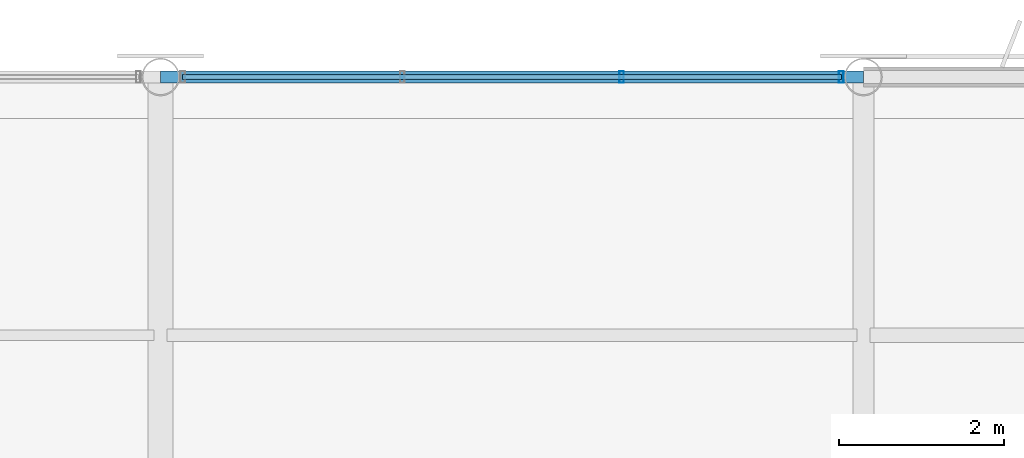
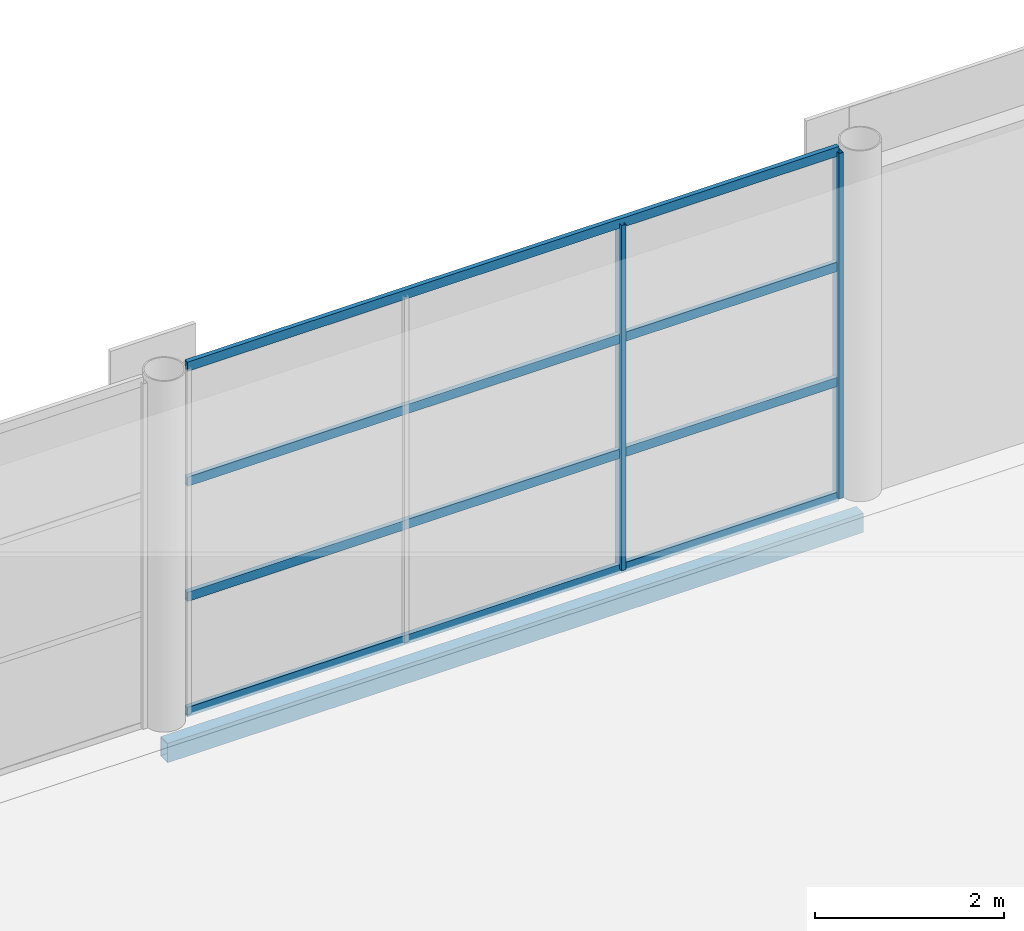
# One storey, part 43 of 101: 6 members, 1 beam, 1 element without a shape of its own.
"""IFC4 building model written with IfcOpenShell, lengths in metres."""

from ifc_helpers import new_model, si_unit, direction, frame, origin, origin_2d, place, context, subcontext, project, spatial, hollow_rectangle, extrude, material, material_profile, profile_set, type_object, element, aggregate, save


model = new_model("IFC4")

# Units and contexts
model_context = context("Model", 3, precision=1e-05, world=origin(), true_north=direction((0.0, 1.0)))
body_context = subcontext(model_context, "Body", "Model", "MODEL_VIEW")
ifc_project = project(units=[si_unit("LENGTHUNIT", "METRE"), si_unit("AREAUNIT", "SQUARE_METRE"), si_unit("VOLUMEUNIT", "CUBIC_METRE"), si_unit("PLANEANGLEUNIT", "RADIAN"), si_unit("MASSUNIT", "GRAM", prefix="KILO")], contexts=[model_context])

# Site, building, storey
site_placement = place(None, origin())
site = spatial("IfcSite", under=ifc_project, at=site_placement, CompositionType="ELEMENT")
building_placement = place(site_placement, origin())
building = spatial("IfcBuilding", under=site, at=building_placement, Name="Solvikara Media Centre", CompositionType="ELEMENT")
storey_placement = place(building_placement, frame((0.0, 0.0, 10.199951171875)))
storey = spatial("IfcBuildingStorey", under=building, at=storey_placement, Name="L02", CompositionType="ELEMENT", Elevation=10.199951171875)

# Beam
ifc_material_1 = material(Name="Steel S355JR", Category="steel")
ifc_material_profile_1 = material_profile(ifc_material_1, hollow_rectangle(XDim=0.14990234375, YDim=0.25, WallThickness=0.008056640625, at=origin_2d()), Name="RHS 250x150x8")
ifc_profile_set_1 = profile_set([ifc_material_profile_1], Name="Steel S355JR")
beam_type = type_object("IfcBeamType", Name="BM-36", PredefinedType="JOIST", material=ifc_profile_set_1)
beam_placement = place(storey_placement, frame((8.5, 114.0, -0.386962890625), z_axis=(1.0, 0.0, 0.0), x_axis=(0.0, 1.0, 0.0)))
element("IfcBeam", 1, at=beam_placement, inside=storey, type_object=beam_type, Name="B-L02-X0902", PredefinedType="JOIST", context=body_context, shape_type="SweptSolid", body=[
    extrude(hollow_rectangle(XDim=0.14990234375, YDim=0.25, WallThickness=0.008056640625, at=origin_2d()), origin(), (0.0, 0.0, 1.0), 8.5),
])

# Curtain wall, members
ifc_material_2 = material(Name="Anodised aluminium EN AW-6063", Category="aluminium")
curtain_wall_type = type_object("IfcCurtainWallType", Name="CW-08", PredefinedType="NOTDEFINED", material=ifc_material_2)
curtain_wall_placement = place(storey_placement, origin())
curtain_wall = element("IfcCurtainWall", 2, at=curtain_wall_placement, inside=storey, type_object=curtain_wall_type, Name="CW-L02-V3N-S2", PredefinedType="NOTDEFINED")
ifc_material_profile_2 = material_profile(ifc_material_2, hollow_rectangle(XDim=0.054931640625, YDim=0.139892578125, WallThickness=0.0029296875, at=origin_2d()), Name="ALU-M 55x140x3")
ifc_profile_set_2 = profile_set([ifc_material_profile_2], Name="Anodised aluminium EN AW-6063")
member_type_1 = type_object("IfcMemberType", Name="MF-05", PredefinedType="MULLION", material=ifc_profile_set_2)
member_1_placement = place(storey_placement, frame((14.076904296875, 114.0, 0.02001953125), z_axis=(0.0, 0.0, 1.0), x_axis=(1.0, 0.0, 0.0)))
member_1 = element("IfcMember", 3, at=member_1_placement, type_object=member_type_1, Name="CW-L02-V3N-S2-M02", PredefinedType="MULLION", context=body_context, shape_type="SweptSolid", body=[
    extrude(hollow_rectangle(XDim=0.054931640625, YDim=0.139892578125, WallThickness=0.0029296875, at=origin_2d()), origin(), (0.0, 0.0, 1.0), 4.4599609375),
])
member_2_placement = place(storey_placement, frame((16.73193359375, 114.0, 0.02001953125), z_axis=(0.0, 0.0, 1.0), x_axis=(1.0, 0.0, 0.0)))
member_2 = element("IfcMember", 4, at=member_2_placement, type_object=member_type_1, Name="CW-L02-V3N-S2-M03", PredefinedType="MULLION", context=body_context, shape_type="SweptSolid", body=[
    extrude(hollow_rectangle(XDim=0.054931640625, YDim=0.139892578125, WallThickness=0.0029296875, at=origin_2d()), origin(), (0.0, 0.0, 1.0), 4.4599609375),
])
ifc_material_profile_3 = material_profile(ifc_material_2, hollow_rectangle(XDim=0.054931640625, YDim=0.1201171875, WallThickness=0.0029296875, at=origin_2d()), Name="ALU-T 55x120x3")
ifc_profile_set_3 = profile_set([ifc_material_profile_3], Name="Anodised aluminium EN AW-6063")
member_type_2 = type_object("IfcMemberType", Name="MF-11", PredefinedType="USERDEFINED", material=ifc_profile_set_3)
member_3_placement = place(storey_placement, frame((8.76806640625, 114.0, 0.02001953125), z_axis=(1.0, 0.0, 0.0), x_axis=(0.0, 1.0, 0.0)))
member_3 = element("IfcMember", 5, at=member_3_placement, type_object=member_type_2, Name="CW-L02-V3N-S2-T00", ObjectType="TRANSOM", PredefinedType="USERDEFINED", context=body_context, shape_type="SweptSolid", body=[
    extrude(hollow_rectangle(XDim=0.054931640625, YDim=0.1201171875, WallThickness=0.0029296875, at=origin_2d()), origin(), (0.0, 0.0, 1.0), 7.9638671875),
])
member_4_placement = place(storey_placement, frame((8.76806640625, 114.0, 1.507080078125), z_axis=(1.0, 0.0, 0.0), x_axis=(0.0, 1.0, 0.0)))
member_4 = element("IfcMember", 6, at=member_4_placement, type_object=member_type_2, Name="CW-L02-V3N-S2-T01", ObjectType="TRANSOM", PredefinedType="USERDEFINED", context=body_context, shape_type="SweptSolid", body=[
    extrude(hollow_rectangle(XDim=0.054931640625, YDim=0.1201171875, WallThickness=0.0029296875, at=origin_2d()), origin(), (0.0, 0.0, 1.0), 7.9638671875),
])
member_5_placement = place(storey_placement, frame((8.76806640625, 114.0, 2.9931640625), z_axis=(1.0, 0.0, 0.0), x_axis=(0.0, 1.0, 0.0)))
member_5 = element("IfcMember", 7, at=member_5_placement, type_object=member_type_2, Name="CW-L02-V3N-S2-T02", ObjectType="TRANSOM", PredefinedType="USERDEFINED", context=body_context, shape_type="SweptSolid", body=[
    extrude(hollow_rectangle(XDim=0.054931640625, YDim=0.1201171875, WallThickness=0.0029296875, at=origin_2d()), origin(), (0.0, 0.0, 1.0), 7.9638671875),
])
member_6_placement = place(storey_placement, frame((8.76806640625, 114.0, 4.47998046875), z_axis=(1.0, 0.0, 0.0), x_axis=(0.0, 1.0, 0.0)))
member_6 = element("IfcMember", 8, at=member_6_placement, type_object=member_type_2, Name="CW-L02-V3N-S2-T03", ObjectType="TRANSOM", PredefinedType="USERDEFINED", context=body_context, shape_type="SweptSolid", body=[
    extrude(hollow_rectangle(XDim=0.054931640625, YDim=0.1201171875, WallThickness=0.0029296875, at=origin_2d()), origin(), (0.0, 0.0, 1.0), 7.9638671875),
])
aggregate(curtain_wall, [member_1, member_2, member_3, member_4, member_5, member_6])

save(model, "model.ifc")
